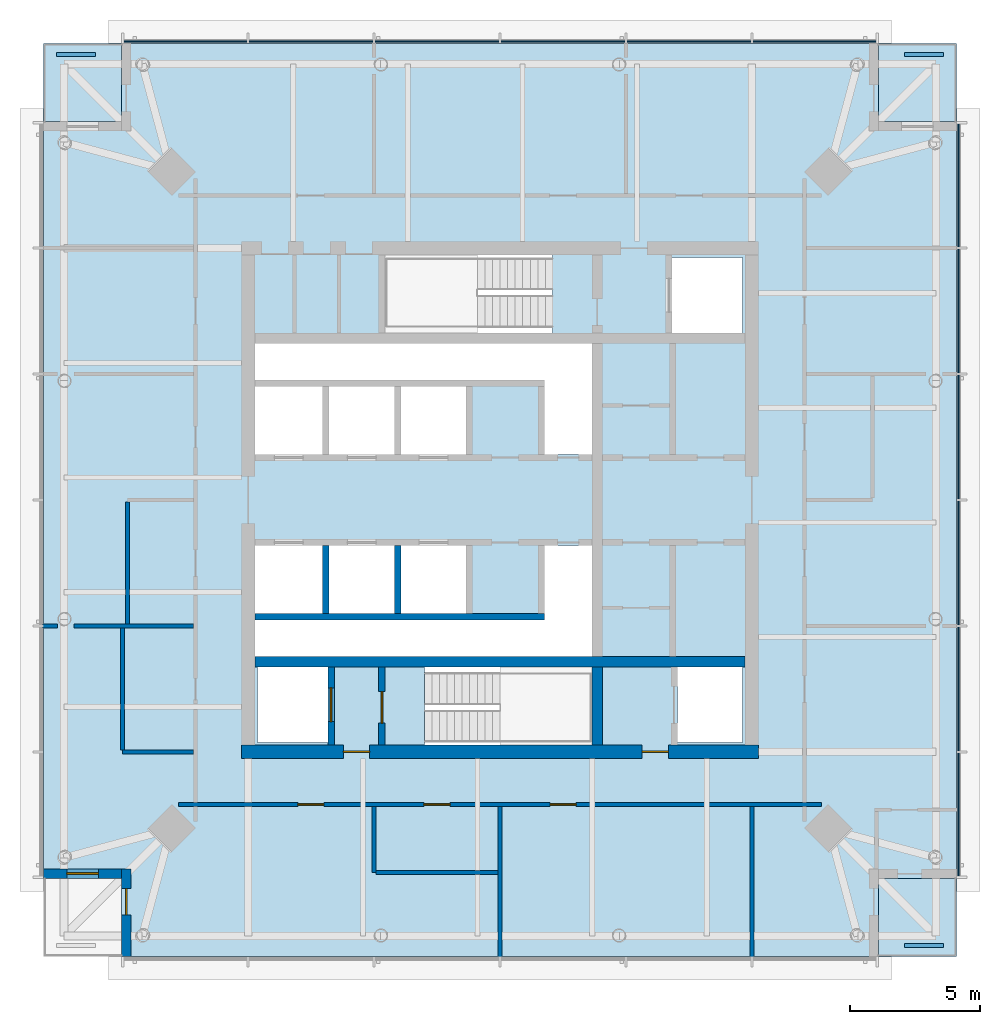
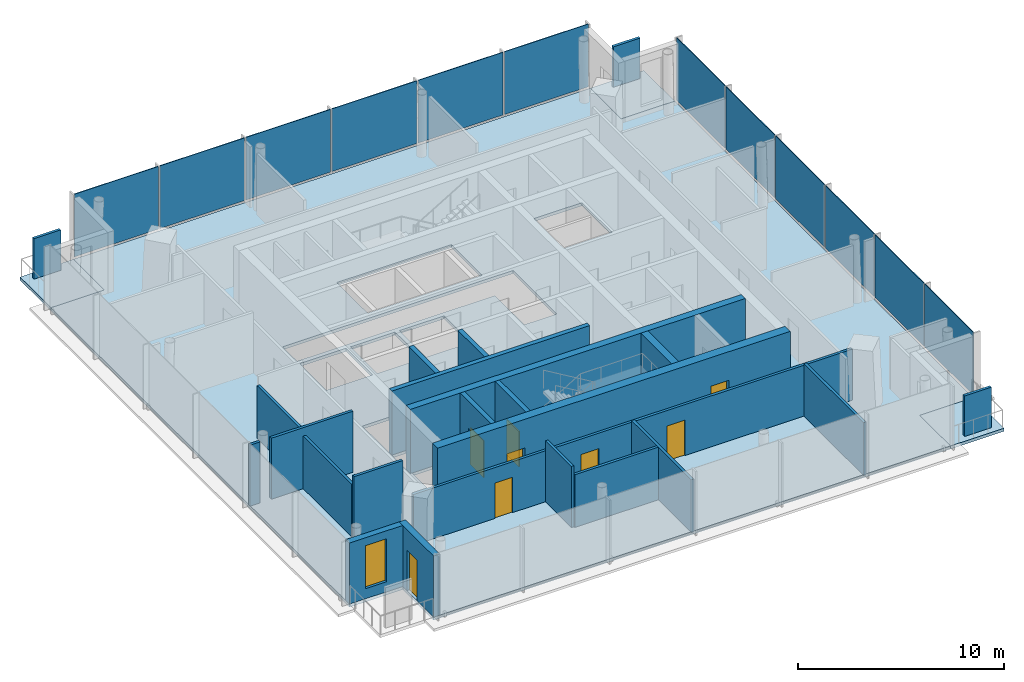
# One storey, part 3 of 11: 20 walls, 15 plates, 8 doors, 4 slabs, 1 window, 9 openings, 2 elements without a shape of their own.
"""IFC4 building model written with IfcOpenShell, lengths in metres."""

from ifc_helpers import new_model, si_unit, direction, frame, frame_2d, origin, origin_2d, place, context, subcontext, project, spatial, polyline, rectangle, outline, extrude, material, layer, layer_set, type_object, element, fill, aggregate, save


model = new_model("IFC4")

# Units and contexts
model_context = context("Model", 3, precision=1e-05, world=origin(), true_north=direction((0.0, 1.0)))
body_context = subcontext(model_context, "Body", "Model", "MODEL_VIEW")
ifc_project = project(units=[si_unit("LENGTHUNIT", "METRE"), si_unit("AREAUNIT", "SQUARE_METRE"), si_unit("VOLUMEUNIT", "CUBIC_METRE"), si_unit("PLANEANGLEUNIT", "RADIAN"), si_unit("MASSUNIT", "GRAM", prefix="KILO")], contexts=[model_context])

# Site, building, storey
site_placement = place(None, origin())
site = spatial("IfcSite", under=ifc_project, at=site_placement, CompositionType="ELEMENT")
building_placement = place(site_placement, origin())
building = spatial("IfcBuilding", under=site, at=building_placement, Name="Ostroluk Exchange", CompositionType="ELEMENT")
storey_placement = place(building_placement, frame((0.0, 0.0, 249.0)))
storey = spatial("IfcBuildingStorey", under=building, at=storey_placement, Name="L64", CompositionType="ELEMENT", Elevation=249.0)

# Slabs
ifc_material_1 = material(Name="Concrete C35/45", Category="concrete")
ifc_layer_1 = layer(ifc_material_1, 0.179931640625)
ifc_layer_set_1 = layer_set([ifc_layer_1], Name="Balcony slab 180")
slab_type_1 = type_object("IfcSlabType", Name="Balcony slab 180", PredefinedType="USERDEFINED", material=ifc_layer_set_1)
slab_1_placement = place(storey_placement, frame((0.0, 0.0, -0.179931640625)))
element("IfcSlab", 1, at=slab_1_placement, inside=storey, type_object=slab_type_1, Name="Office tower SE corner balcony L64", ObjectType="BALCONY", PredefinedType="USERDEFINED", context=body_context, shape_type="SweptSolid", body=[
    extrude(outline(polyline([(59.5, 28.5), (62.5, 28.5), (62.5, 31.5), (59.5, 31.5), (59.5, 28.5)])), origin(), (0.0, 0.0, 1.0), 0.179931640625),
])
slab_2_placement = place(storey_placement, frame((0.0, 0.0, -0.179931640625)))
element("IfcSlab", 2, at=slab_2_placement, inside=storey, type_object=slab_type_1, Name="Office tower NE corner balcony L64", ObjectType="BALCONY", PredefinedType="USERDEFINED", context=body_context, shape_type="SweptSolid", body=[
    extrude(outline(polyline([(59.5, 60.5), (62.5, 60.5), (62.5, 63.5), (59.5, 63.5), (59.5, 60.5)])), origin(), (0.0, 0.0, 1.0), 0.179931640625),
])
slab_3_placement = place(storey_placement, frame((0.0, 0.0, -0.179931640625)))
element("IfcSlab", 3, at=slab_3_placement, inside=storey, type_object=slab_type_1, Name="Office tower NW corner balcony L64", ObjectType="BALCONY", PredefinedType="USERDEFINED", context=body_context, shape_type="SweptSolid", body=[
    extrude(outline(polyline([(27.5, 60.5), (30.5, 60.5), (30.5, 63.5), (27.5, 63.5), (27.5, 60.5)])), origin(), (0.0, 0.0, 1.0), 0.179931640625),
])

# Plates
ifc_material_2 = material(Name="Steel S355 trellis with planting", Category="steel")
ifc_layer_2 = layer(ifc_material_2, 0.14990234375)
ifc_layer_set_2 = layer_set([ifc_layer_2], Name="Planted screen 150")
plate_type_1 = type_object("IfcPlateType", Name="Planted screen 150", PredefinedType="USERDEFINED", material=ifc_layer_set_2)
for number, where, z_axis, x_axis, name in (
    (4, (61.25, 28.925048828125, 0.0), (0.0, 0.0, 1.0), (1.0, 0.0, 0.0), "Office tower SE planted screen L64"),
    (5, (61.25, 63.074951171875, 0.0), (0.0, 0.0, 1.0), (1.0, 0.0, 0.0), "Office tower NE planted screen L64"),
    (6, (28.75, 63.074951171875, 0.0), (0.0, 0.0, 1.0), (1.0, 0.0, 0.0), "Office tower NW planted screen L64"),
):
    element("IfcPlate", number, at=place(storey_placement, frame(where, z_axis=z_axis, x_axis=x_axis)), inside=storey, type_object=plate_type_1, Name=name, ObjectType="PLANTED SCREEN", PredefinedType="USERDEFINED", context=body_context, shape_type="SweptSolid", body=[
        extrude(rectangle(XDim=1.5, YDim=0.14990234375, at=origin_2d()), origin(), (0.0, 0.0, 1.0), 2.39990234375),
    ])

# Slab
ifc_material_3 = material(Name="Concrete C35/45", Category="concrete")
ifc_layer_3 = layer(ifc_material_3, 0.179931640625)
ifc_layer_set_3 = layer_set([ifc_layer_3], Name="Tower floor slab 180 composite")
slab_type_2 = type_object("IfcSlabType", Name="Tower floor slab 180 composite", PredefinedType="FLOOR", material=ifc_layer_set_3)
slab_4_placement = place(storey_placement, frame((0.0, 0.0, -0.179931640625)))
element("IfcSlab", 7, at=slab_4_placement, inside=storey, type_object=slab_type_2, Name="Office tower floor slab L64", PredefinedType="FLOOR", context=body_context, shape_type="SweptSolid", body=[
    extrude(outline(polyline([(30.5, 28.5), (59.5, 28.5), (59.5, 31.5), (62.5, 31.5), (62.5, 60.5), (59.5, 60.5), (59.5, 63.5), (30.5, 63.5), (30.5, 60.5), (27.5, 60.5), (27.5, 31.5), (30.5, 31.5), (30.5, 28.5)]), holes=[polyline([(35.699951171875, 36.699951171875), (38.39990234375, 36.699951171875), (38.39990234375, 39.60009765625), (35.699951171875, 39.60009765625), (35.699951171875, 36.699951171875)]), polyline([(42.110107421875, 36.60009765625), (48.530029296875, 36.60009765625), (48.530029296875, 39.60009765625), (42.110107421875, 39.60009765625), (42.110107421875, 36.60009765625)]), polyline([(51.800048828125, 36.699951171875), (54.300048828125, 36.699951171875), (54.300048828125, 39.60009765625), (51.800048828125, 39.60009765625), (51.800048828125, 36.699951171875)]), polyline([(40.60009765625, 52.39990234375), (47.02001953125, 52.39990234375), (47.02001953125, 55.39990234375), (40.60009765625, 55.39990234375), (40.60009765625, 52.39990234375)]), polyline([(51.60009765625, 52.39990234375), (54.300048828125, 52.39990234375), (54.300048828125, 55.300048828125), (51.60009765625, 55.300048828125), (51.60009765625, 52.39990234375)]), polyline([(35.60009765625, 47.75), (38.199951171875, 47.75), (38.199951171875, 50.35009765625), (35.60009765625, 50.35009765625), (35.60009765625, 47.75)]), polyline([(38.449951171875, 47.75), (40.949951171875, 47.75), (40.949951171875, 50.35009765625), (38.449951171875, 50.35009765625), (38.449951171875, 47.75)]), polyline([(41.199951171875, 47.75), (43.699951171875, 47.75), (43.699951171875, 50.35009765625), (41.199951171875, 50.35009765625), (41.199951171875, 47.75)]), polyline([(35.60009765625, 41.64990234375), (38.199951171875, 41.64990234375), (38.199951171875, 44.25), (35.60009765625, 44.25), (35.60009765625, 41.64990234375)]), polyline([(38.449951171875, 41.64990234375), (40.949951171875, 41.64990234375), (40.949951171875, 44.25), (38.449951171875, 44.25), (38.449951171875, 41.64990234375)]), polyline([(41.199951171875, 41.64990234375), (43.699951171875, 41.64990234375), (43.699951171875, 44.25), (41.199951171875, 44.25), (41.199951171875, 41.64990234375)]), polyline([(48.530029296875, 52.0), (48.530029296875, 47.75), (46.699951171875, 47.75), (46.699951171875, 50.60009765625), (35.60009765625, 50.60009765625), (35.60009765625, 52.0), (48.530029296875, 52.0)]), polyline([(35.60009765625, 40.0), (35.60009765625, 41.39990234375), (46.699951171875, 41.39990234375), (46.699951171875, 44.25), (48.530029296875, 44.25), (48.530029296875, 40.0), (35.60009765625, 40.0)])]), origin(), (0.0, 0.0, 1.0), 0.179931640625),
])

# Curtain wall, plates
ifc_material_4 = material(Name="Laminated clear glass", Category="glass")
curtain_wall_type = type_object("IfcCurtainWallType", Name="Office tower facade", PredefinedType="USERDEFINED", material=ifc_material_4)
curtain_wall_1_placement = place(storey_placement, origin())
curtain_wall_1 = element("IfcCurtainWall", 8, at=curtain_wall_1_placement, inside=storey, type_object=curtain_wall_type, Name="Office tower east facade L64", ObjectType="UNITISED CURTAIN WALL", PredefinedType="USERDEFINED")
ifc_material_5 = material(Name="Laminated clear glass", Category="glass")
ifc_layer_4 = layer(ifc_material_5, 0.0439453125)
ifc_layer_set_4 = layer_set([ifc_layer_4], Name="Triple laminated clear glazing 44")
plate_type_2 = type_object("IfcPlateType", Name="Triple laminated clear glazing 44", PredefinedType="CURTAIN_PANEL", material=ifc_layer_set_4)
plate_1_placement = place(storey_placement, frame((62.574951171875, 33.936767578125, 0.080078125), z_axis=(0.0, 0.0, 1.0), x_axis=(0.0, 1.0, 0.0)))
plate_1 = element("IfcPlate", 9, at=plate_1_placement, type_object=plate_type_2, Name="CW-O1 panel 1.1", PredefinedType="CURTAIN_PANEL", context=body_context, shape_type="SweptSolid", body=[
    extrude(rectangle(XDim=4.71337890625, YDim=0.0439453125, at=origin_2d()), origin(), (0.0, 0.0, 1.0), 3.719970703125),
])
plate_2_placement = place(storey_placement, frame((62.574951171875, 38.75, 0.080078125), z_axis=(0.0, 0.0, 1.0), x_axis=(0.0, 1.0, 0.0)))
plate_2 = element("IfcPlate", 10, at=plate_2_placement, type_object=plate_type_2, Name="CW-O1 panel 2.1", PredefinedType="CURTAIN_PANEL", context=body_context, shape_type="SweptSolid", body=[
    extrude(rectangle(XDim=4.75341796875, YDim=0.0439453125, at=origin_2d()), origin(), (0.0, 0.0, 1.0), 3.719970703125),
])
plate_3_placement = place(storey_placement, frame((62.574951171875, 43.583251953125, 0.080078125), z_axis=(0.0, 0.0, 1.0), x_axis=(0.0, 1.0, 0.0)))
plate_3 = element("IfcPlate", 11, at=plate_3_placement, type_object=plate_type_2, Name="CW-O1 panel 3.1", PredefinedType="CURTAIN_PANEL", context=body_context, shape_type="SweptSolid", body=[
    extrude(rectangle(XDim=4.75341796875, YDim=0.0439453125, at=origin_2d()), origin(), (0.0, 0.0, 1.0), 3.719970703125),
])
plate_4_placement = place(storey_placement, frame((62.574951171875, 48.416748046875, 0.080078125), z_axis=(0.0, 0.0, 1.0), x_axis=(0.0, 1.0, 0.0)))
plate_4 = element("IfcPlate", 12, at=plate_4_placement, type_object=plate_type_2, Name="CW-O1 panel 4.1", PredefinedType="CURTAIN_PANEL", context=body_context, shape_type="SweptSolid", body=[
    extrude(rectangle(XDim=4.75341796875, YDim=0.0439453125, at=origin_2d()), origin(), (0.0, 0.0, 1.0), 3.719970703125),
])
plate_5_placement = place(storey_placement, frame((62.574951171875, 53.25, 0.080078125), z_axis=(0.0, 0.0, 1.0), x_axis=(0.0, 1.0, 0.0)))
plate_5 = element("IfcPlate", 13, at=plate_5_placement, type_object=plate_type_2, Name="CW-O1 panel 5.1", PredefinedType="CURTAIN_PANEL", context=body_context, shape_type="SweptSolid", body=[
    extrude(rectangle(XDim=4.75341796875, YDim=0.0439453125, at=origin_2d()), origin(), (0.0, 0.0, 1.0), 3.719970703125),
])
plate_6_placement = place(storey_placement, frame((62.574951171875, 58.063232421875, 0.080078125), z_axis=(0.0, 0.0, 1.0), x_axis=(0.0, 1.0, 0.0)))
plate_6 = element("IfcPlate", 14, at=plate_6_placement, type_object=plate_type_2, Name="CW-O1 panel 6.1", PredefinedType="CURTAIN_PANEL", context=body_context, shape_type="SweptSolid", body=[
    extrude(rectangle(XDim=4.71337890625, YDim=0.0439453125, at=origin_2d()), origin(), (0.0, 0.0, 1.0), 3.719970703125),
])
aggregate(curtain_wall_1, [plate_1, plate_2, plate_3, plate_4, plate_5, plate_6])

curtain_wall_2_placement = place(storey_placement, origin())
curtain_wall_2 = element("IfcCurtainWall", 15, at=curtain_wall_2_placement, inside=storey, type_object=curtain_wall_type, Name="Office tower north facade L64", ObjectType="UNITISED CURTAIN WALL", PredefinedType="USERDEFINED")
plate_7_placement = place(storey_placement, frame((57.063232421875, 63.574951171875, 0.080078125), z_axis=(0.0, 0.0, 1.0), x_axis=(-1.0, 0.0, 0.0)))
plate_7 = element("IfcPlate", 16, at=plate_7_placement, type_object=plate_type_2, Name="CW-O1 panel 1.1", PredefinedType="CURTAIN_PANEL", context=body_context, shape_type="SweptSolid", body=[
    extrude(rectangle(XDim=4.71337890625, YDim=0.0439453125, at=origin_2d()), origin(), (0.0, 0.0, 1.0), 3.719970703125),
])
plate_8_placement = place(storey_placement, frame((52.25, 63.574951171875, 0.080078125), z_axis=(0.0, 0.0, 1.0), x_axis=(-1.0, 0.0, 0.0)))
plate_8 = element("IfcPlate", 17, at=plate_8_placement, type_object=plate_type_2, Name="CW-O1 panel 2.1", PredefinedType="CURTAIN_PANEL", context=body_context, shape_type="SweptSolid", body=[
    extrude(rectangle(XDim=4.75341796875, YDim=0.0439453125, at=origin_2d()), origin(), (0.0, 0.0, 1.0), 3.719970703125),
])
plate_9_placement = place(storey_placement, frame((47.416748046875, 63.574951171875, 0.080078125), z_axis=(0.0, 0.0, 1.0), x_axis=(-1.0, 0.0, 0.0)))
plate_9 = element("IfcPlate", 18, at=plate_9_placement, type_object=plate_type_2, Name="CW-O1 panel 3.1", PredefinedType="CURTAIN_PANEL", context=body_context, shape_type="SweptSolid", body=[
    extrude(rectangle(XDim=4.75341796875, YDim=0.0439453125, at=origin_2d()), origin(), (0.0, 0.0, 1.0), 3.719970703125),
])
plate_10_placement = place(storey_placement, frame((42.583251953125, 63.574951171875, 0.080078125), z_axis=(0.0, 0.0, 1.0), x_axis=(-1.0, 0.0, 0.0)))
plate_10 = element("IfcPlate", 19, at=plate_10_placement, type_object=plate_type_2, Name="CW-O1 panel 4.1", PredefinedType="CURTAIN_PANEL", context=body_context, shape_type="SweptSolid", body=[
    extrude(rectangle(XDim=4.75341796875, YDim=0.0439453125, at=origin_2d()), origin(), (0.0, 0.0, 1.0), 3.719970703125),
])
plate_11_placement = place(storey_placement, frame((37.75, 63.574951171875, 0.080078125), z_axis=(0.0, 0.0, 1.0), x_axis=(-1.0, 0.0, 0.0)))
plate_11 = element("IfcPlate", 20, at=plate_11_placement, type_object=plate_type_2, Name="CW-O1 panel 5.1", PredefinedType="CURTAIN_PANEL", context=body_context, shape_type="SweptSolid", body=[
    extrude(rectangle(XDim=4.75341796875, YDim=0.0439453125, at=origin_2d()), origin(), (0.0, 0.0, 1.0), 3.719970703125),
])
plate_12_placement = place(storey_placement, frame((32.936767578125, 63.574951171875, 0.080078125), z_axis=(0.0, 0.0, 1.0), x_axis=(-1.0, 0.0, 0.0)))
plate_12 = element("IfcPlate", 21, at=plate_12_placement, type_object=plate_type_2, Name="CW-O1 panel 6.1", PredefinedType="CURTAIN_PANEL", context=body_context, shape_type="SweptSolid", body=[
    extrude(rectangle(XDim=4.71337890625, YDim=0.0439453125, at=origin_2d()), origin(), (0.0, 0.0, 1.0), 3.719970703125),
])
aggregate(curtain_wall_2, [plate_7, plate_8, plate_9, plate_10, plate_11, plate_12])

# Walls
ifc_material_6 = material(Name="Concrete C50/60", Category="concrete")
ifc_layer_5 = layer(ifc_material_6, 0.39990234375)
ifc_layer_set_5 = layer_set([ifc_layer_5], Name="Core cross wall 400 C50/60")
wall_type_1 = type_object("IfcWallType", Name="Core cross wall 400 C50/60", PredefinedType="SHEAR", material=ifc_layer_set_5)
wall_1_placement = place(storey_placement, frame((35.60009765625, 39.800048828125, 0.0), z_axis=(0.0, 0.0, 1.0), x_axis=(1.0, 0.0, 0.0)))
element("IfcWall", 22, at=wall_1_placement, inside=storey, type_object=wall_type_1, Name="T1 core wall XS", PredefinedType="SHEAR", context=body_context, shape_type="SweptSolid", body=[
    extrude(rectangle(XDim=18.7998046875, YDim=0.39990234375, at=frame_2d((9.39990234375, 0.0))), origin(), (0.0, 0.0, 1.0), 3.800048828125),
])
wall_2_placement = place(storey_placement, frame((48.72998046875, 36.60009765625, 0.0), z_axis=(0.0, 0.0, 1.0), x_axis=(0.0, 1.0, 0.0)))
element("IfcWall", 23, at=wall_2_placement, inside=storey, type_object=wall_type_1, Name="T1 core wall YE1", PredefinedType="SHEAR", context=body_context, shape_type="SweptSolid", body=[
    extrude(rectangle(XDim=3.0, YDim=0.39990234375, at=frame_2d((1.5, 0.0))), origin(), (0.0, 0.0, 1.0), 3.800048828125),
])

# Wall, opening, door
ifc_material_7 = material(Name="Concrete C40/50", Category="concrete")
ifc_layer_6 = layer(ifc_material_7, 0.25)
ifc_layer_set_6 = layer_set([ifc_layer_6], Name="Core shaft wall 250")
wall_type_2 = type_object("IfcWallType", Name="Core shaft wall 250", PredefinedType="SHEAR", material=ifc_layer_set_6)
wall_3_placement = place(storey_placement, frame((38.52490234375, 36.60009765625, 0.0), z_axis=(0.0, 0.0, 1.0), x_axis=(0.0, 1.0, 0.0)))
wall_3 = element("IfcWall", 24, at=wall_3_placement, inside=storey, type_object=wall_type_2, Name="Firefighting lift shaft wall", PredefinedType="SHEAR", context=body_context, shape_type="SweptSolid", body=[
    extrude(rectangle(XDim=3.0, YDim=0.25, at=frame_2d((1.5, 0.0))), origin(), (0.0, 0.0, 1.0), 3.800048828125),
])
opening_1_placement = place(wall_3_placement, frame((0.89990234375, 0.0, 0.0)))
opening_1 = element("IfcOpeningElement", 25, at=opening_1_placement, cuts=wall_3, Name="Opening LD2", PredefinedType="OPENING", context=body_context, shape_type="SweptSolid", body=[
    extrude(rectangle(XDim=1.300048828125, YDim=2.199951171875, at=frame_2d((0.64990234375, 1.10009765625))), frame((0.0, 0.135009765625, 0.0), z_axis=(0.0, -1.0, 0.0), x_axis=(1.0, 0.0, 0.0)), (0.0, 0.0, 1.0), 0.27001953125),
])
ifc_material_8 = material(Name="Stainless steel", Category="steel")
door_type_1 = type_object("IfcDoorType", Name="Lift landing door E 60 1300 x 2200", OperationType="DOUBLE_DOOR_SLIDING", PredefinedType="DOOR", material=ifc_material_8)
door_1_placement = place(opening_1_placement, origin())
door_1 = element("IfcDoor", 26, at=door_1_placement, inside=storey, type_object=door_type_1, Name="Lift FL1 landing door", OperationType="DOUBLE_DOOR_SLIDING", OverallHeight=2.199951171875, OverallWidth=1.300048828125, PredefinedType="DOOR", context=body_context, shape_type="SweptSolid", body=[
    extrude(rectangle(XDim=1.300048828125, YDim=2.199951171875, at=frame_2d((0.64990234375, 1.10009765625))), frame((0.0, 0.02490234375, 0.0), z_axis=(0.0, -1.0, 0.0), x_axis=(1.0, 0.0, 0.0)), (0.0, 0.0, 1.0), 0.050048828125),
])
fill(opening_1, door_1)

wall_4_placement = place(storey_placement, frame((40.47509765625, 36.60009765625, 0.0), z_axis=(0.0, 0.0, 1.0), x_axis=(0.0, 1.0, 0.0)))
wall_4 = element("IfcWall", 27, at=wall_4_placement, inside=storey, type_object=wall_type_2, Name="Stair shaft wall", PredefinedType="SHEAR", context=body_context, shape_type="SweptSolid", body=[
    extrude(rectangle(XDim=3.0, YDim=0.25, at=frame_2d((1.5, 0.0))), origin(), (0.0, 0.0, 1.0), 3.800048828125),
])
opening_2_placement = place(wall_4_placement, frame((0.85009765625, 0.0, 0.0)))
opening_2 = element("IfcOpeningElement", 28, at=opening_2_placement, cuts=wall_4, Name="Opening FD60S", PredefinedType="OPENING", context=body_context, shape_type="SweptSolid", body=[
    extrude(rectangle(XDim=1.199951171875, YDim=2.10009765625, at=frame_2d((0.60009765625, 1.050048828125))), frame((0.0, 0.135009765625, 0.0), z_axis=(0.0, -1.0, 0.0), x_axis=(1.0, 0.0, 0.0)), (0.0, 0.0, 1.0), 0.27001953125),
])
ifc_material_9 = material(Name="Steel", Category="steel")
door_type_2 = type_object("IfcDoorType", Name="Stair door EI 60 1200 x 2100", OperationType="SINGLE_SWING_LEFT", PredefinedType="DOOR", material=ifc_material_9)
door_2_placement = place(opening_2_placement, origin())
door_2 = element("IfcDoor", 29, at=door_2_placement, inside=storey, type_object=door_type_2, Name="Stair T1-S1 door", OperationType="SINGLE_SWING_LEFT", OverallHeight=2.10009765625, OverallWidth=1.199951171875, PredefinedType="DOOR", context=body_context, shape_type="SweptSolid", body=[
    extrude(rectangle(XDim=1.199951171875, YDim=2.10009765625, at=frame_2d((0.60009765625, 1.050048828125))), frame((0.0, 0.02490234375, 0.0), z_axis=(0.0, -1.0, 0.0), x_axis=(1.0, 0.0, 0.0)), (0.0, 0.0, 1.0), 0.050048828125),
])
fill(opening_2, door_2)

# Walls
for number, where, z_axis, x_axis, name in (
    (30, (38.324951171875, 44.25, 0.0), (0.0, 0.0, 1.0), (0.0, -1.0, 0.0), "Lift shaft wall"),
    (31, (41.074951171875, 44.25, 0.0), (0.0, 0.0, 1.0), (0.0, -1.0, 0.0), "Lift shaft wall"),
):
    element("IfcWall", number, at=place(storey_placement, frame(where, z_axis=z_axis, x_axis=x_axis)), inside=storey, type_object=wall_type_2, Name=name, PredefinedType="SHEAR", context=body_context, shape_type="SweptSolid", body=[
        extrude(rectangle(XDim=2.60009765625, YDim=0.25, at=frame_2d((1.300048828125, 0.0))), origin(), (0.0, 0.0, 1.0), 3.800048828125),
    ])
wall_5_placement = place(storey_placement, frame((35.60009765625, 41.52490234375, 0.0), z_axis=(0.0, 0.0, 1.0), x_axis=(1.0, 0.0, 0.0)))
element("IfcWall", 32, at=wall_5_placement, inside=storey, type_object=wall_type_2, Name="Lift shaft wall", PredefinedType="SHEAR", context=body_context, shape_type="SweptSolid", body=[
    extrude(rectangle(XDim=11.099853515625, YDim=0.25, at=frame_2d((5.5498046875, 0.0))), origin(), (0.0, 0.0, 1.0), 3.800048828125),
])

# Wall, openings, doors
ifc_material_10 = material(Name="Concrete C50/60", Category="concrete")
ifc_layer_7 = layer(ifc_material_10, 0.5)
ifc_layer_set_7 = layer_set([ifc_layer_7], Name="Core wall 500 C50/60")
wall_type_3 = type_object("IfcWallType", Name="Core wall 500 C50/60", PredefinedType="SHEAR", material=ifc_layer_set_7)
wall_6_placement = place(storey_placement, frame((35.10009765625, 36.35009765625, 0.0), z_axis=(0.0, 0.0, 1.0), x_axis=(1.0, 0.0, 0.0)))
wall_6 = element("IfcWall", 33, at=wall_6_placement, inside=storey, type_object=wall_type_3, Name="T1 core wall S", PredefinedType="SHEAR", context=body_context, shape_type="SweptSolid", body=[
    extrude(rectangle(XDim=19.7998046875, YDim=0.5, at=frame_2d((9.89990234375, 0.0))), origin(), (0.0, 0.0, 1.0), 3.800048828125),
])
opening_3_placement = place(wall_6_placement, frame((3.89990234375, 0.0, 0.0)))
opening_3 = element("IfcOpeningElement", 34, at=opening_3_placement, cuts=wall_6, Name="Opening FD60", PredefinedType="OPENING", context=body_context, shape_type="SweptSolid", body=[
    extrude(rectangle(XDim=1.0, YDim=2.10009765625, at=frame_2d((0.5, 1.050048828125))), frame((0.0, 0.260009765625, 0.0), z_axis=(0.0, -1.0, 0.0), x_axis=(1.0, 0.0, 0.0)), (0.0, 0.0, 1.0), 0.52001953125),
])
opening_4_placement = place(wall_6_placement, frame((15.35009765625, 0.0, 0.0)))
opening_4 = element("IfcOpeningElement", 35, at=opening_4_placement, cuts=wall_6, Name="Opening FD60", PredefinedType="OPENING", context=body_context, shape_type="SweptSolid", body=[
    extrude(rectangle(XDim=1.0, YDim=2.10009765625, at=frame_2d((0.5, 1.050048828125))), frame((0.0, 0.260009765625, 0.0), z_axis=(0.0, -1.0, 0.0), x_axis=(1.0, 0.0, 0.0)), (0.0, 0.0, 1.0), 0.52001953125),
])
ifc_material_11 = material(Name="Steel", Category="steel")
door_type_3 = type_object("IfcDoorType", Name="Fire door EI 60 1000 x 2100", OperationType="SINGLE_SWING_LEFT", PredefinedType="DOOR", material=ifc_material_11)
door_3_placement = place(opening_3_placement, origin())
door_3 = element("IfcDoor", 36, at=door_3_placement, inside=storey, type_object=door_type_3, Name="Firefighting lobby door", OperationType="SINGLE_SWING_LEFT", OverallHeight=2.10009765625, OverallWidth=1.0, PredefinedType="DOOR", context=body_context, shape_type="SweptSolid", body=[
    extrude(rectangle(XDim=1.0, YDim=2.10009765625, at=frame_2d((0.5, 1.050048828125))), frame((0.0, 0.02490234375, 0.0), z_axis=(0.0, -1.0, 0.0), x_axis=(1.0, 0.0, 0.0)), (0.0, 0.0, 1.0), 0.050048828125),
])
fill(opening_3, door_3)
door_4_placement = place(opening_4_placement, origin())
door_4 = element("IfcDoor", 37, at=door_4_placement, inside=storey, type_object=door_type_3, Name="Service lobby door", OperationType="SINGLE_SWING_RIGHT", OverallHeight=2.10009765625, OverallWidth=1.0, PredefinedType="DOOR", context=body_context, shape_type="SweptSolid", body=[
    extrude(rectangle(XDim=1.0, YDim=2.10009765625, at=frame_2d((0.5, 1.050048828125))), frame((0.0, 0.02490234375, 0.0), z_axis=(0.0, -1.0, 0.0), x_axis=(1.0, 0.0, 0.0)), (0.0, 0.0, 1.0), 0.050048828125),
])
fill(opening_4, door_4)

# Wall, opening, door
ifc_material_12 = material(Name="Limestone", Category="masonry")
ifc_layer_8 = layer(ifc_material_12, 0.35009765625)
ifc_layer_set_8 = layer_set([ifc_layer_8], Name="Limestone facade wall 350")
wall_type_4 = type_object("IfcWallType", Name="Limestone facade wall 350", PredefinedType="SOLIDWALL", material=ifc_layer_set_8)
wall_7_placement = place(storey_placement, frame((30.675048828125, 28.5, 0.0), z_axis=(0.0, 0.0, 1.0), x_axis=(0.0, 1.0, 0.0)))
wall_7 = element("IfcWall", 38, at=wall_7_placement, inside=storey, type_object=wall_type_4, Name="Office tower SW corner wall L64 a", PredefinedType="SOLIDWALL", context=body_context, shape_type="SweptSolid", body=[
    extrude(rectangle(XDim=3.35009765625, YDim=0.35009765625, at=frame_2d((1.675048828125, 0.0))), origin(), (0.0, 0.0, 1.0), 3.6201171875),
])
opening_5_placement = place(wall_7_placement, frame((1.60009765625, 0.0, 0.0)))
opening_5 = element("IfcOpeningElement", 39, at=opening_5_placement, cuts=wall_7, Name="Opening D-B1", PredefinedType="OPENING", context=body_context, shape_type="SweptSolid", body=[
    extrude(rectangle(XDim=1.0, YDim=2.39990234375, at=frame_2d((0.5, 1.199951171875))), frame((0.0, 0.18505859375, 0.0), z_axis=(0.0, -1.0, 0.0), x_axis=(1.0, 0.0, 0.0)), (0.0, 0.0, 1.0), 0.3701171875),
])
ifc_material_13 = material(Name="Bronze framed glazed door", Category="aluminium")
door_type_4 = type_object("IfcDoorType", Name="Balcony door 1000 x 2400", OperationType="SINGLE_SWING_LEFT", PredefinedType="DOOR", material=ifc_material_13)
door_5_placement = place(opening_5_placement, origin())
door_5 = element("IfcDoor", 40, at=door_5_placement, inside=storey, type_object=door_type_4, Name="Office tower SW balcony door L64", OperationType="SINGLE_SWING_RIGHT", OverallHeight=2.39990234375, OverallWidth=1.0, PredefinedType="DOOR", context=body_context, shape_type="SweptSolid", body=[
    extrude(rectangle(XDim=1.0, YDim=2.39990234375, at=frame_2d((0.5, 1.199951171875))), frame((0.0, 0.02490234375, 0.0), z_axis=(0.0, -1.0, 0.0), x_axis=(1.0, 0.0, 0.0)), (0.0, 0.0, 1.0), 0.050048828125),
])
fill(opening_5, door_5)

# Wall, opening, window
wall_8_placement = place(storey_placement, frame((30.5, 31.675048828125, 0.0), z_axis=(0.0, 0.0, 1.0), x_axis=(-1.0, 0.0, 0.0)))
wall_8 = element("IfcWall", 41, at=wall_8_placement, inside=storey, type_object=wall_type_4, Name="Office tower SW corner wall L64 b", PredefinedType="SOLIDWALL", context=body_context, shape_type="SweptSolid", body=[
    extrude(rectangle(XDim=3.0, YDim=0.35009765625, at=frame_2d((1.5, 0.0))), origin(), (0.0, 0.0, 1.0), 3.6201171875),
])
opening_6_placement = place(wall_8_placement, frame((0.89990234375, 0.0, 0.60009765625)))
opening_6 = element("IfcOpeningElement", 42, at=opening_6_placement, cuts=wall_8, Name="Opening WN-L1", PredefinedType="OPENING", context=body_context, shape_type="SweptSolid", body=[
    extrude(rectangle(XDim=1.199951171875, YDim=2.550048828125, at=frame_2d((0.60009765625, 1.27490234375))), frame((0.0, 0.18505859375, 0.0), z_axis=(0.0, -1.0, 0.0), x_axis=(1.0, 0.0, 0.0)), (0.0, 0.0, 1.0), 0.3701171875),
])
ifc_material_14 = material(Name="Laminated clear glass", Category="glass")
window_type = type_object("IfcWindowType", Name="Lancet window 1200 x 2550", PartitioningType="SINGLE_PANEL", PredefinedType="WINDOW", material=ifc_material_14)
window_placement = place(opening_6_placement, origin())
window = element("IfcWindow", 43, at=window_placement, inside=storey, type_object=window_type, Name="Office tower SW lancet window L64", OverallHeight=2.550048828125, OverallWidth=1.199951171875, PartitioningType="SINGLE_PANEL", PredefinedType="WINDOW", context=body_context, shape_type="SweptSolid", body=[
    extrude(rectangle(XDim=1.199951171875, YDim=2.550048828125, at=frame_2d((0.60009765625, 1.27490234375))), frame((0.0, 0.030029296875, 0.0), z_axis=(0.0, -1.0, 0.0), x_axis=(1.0, 0.0, 0.0)), (0.0, 0.0, 1.0), 0.06005859375),
])
fill(opening_6, window)

# Walls
ifc_material_15 = material(Name="Gypsum plasterboard partition", Category="gypsum")
ifc_layer_9 = layer(ifc_material_15, 0.14990234375)
ifc_layer_set_9 = layer_set([ifc_layer_9], Name="Plasterboard partition 150")
wall_type_5 = type_object("IfcWallType", Name="Plasterboard partition 150", PredefinedType="PARTITIONING", material=ifc_layer_set_9)
wall_9_placement = place(storey_placement, frame((33.25, 41.166748046875, 0.0), z_axis=(0.0, 0.0, 1.0), x_axis=(-1.0, 0.0, 0.0)))
element("IfcWall", 44, at=wall_9_placement, inside=storey, type_object=wall_type_5, Name="Partition", PredefinedType="PARTITIONING", context=body_context, shape_type="SweptSolid", body=[
    extrude(rectangle(XDim=4.5888671875, YDim=0.14990234375, at=frame_2d((2.29443359375, 0.0))), origin(), (0.0, 0.0, 1.0), 3.6201171875),
])
wall_10_placement = place(storey_placement, frame((28.03173828125, 41.166748046875, 0.0), z_axis=(0.0, 0.0, 1.0), x_axis=(-1.0, 0.0, 0.0)))
element("IfcWall", 45, at=wall_10_placement, inside=storey, type_object=wall_type_5, Name="Partition", PredefinedType="PARTITIONING", context=body_context, shape_type="SweptSolid", body=[
    extrude(rectangle(XDim=0.57177734375, YDim=0.14990234375, at=frame_2d((0.285888671875, 0.0))), origin(), (0.0, 0.0, 1.0), 3.6201171875),
])
wall_11_placement = place(storey_placement, frame((33.25, 36.333251953125, 0.0), z_axis=(0.0, 0.0, 1.0), x_axis=(-1.0, 0.0, 0.0)))
element("IfcWall", 46, at=wall_11_placement, inside=storey, type_object=wall_type_5, Name="Partition", PredefinedType="PARTITIONING", context=body_context, shape_type="SweptSolid", body=[
    extrude(rectangle(XDim=2.72509765625, YDim=0.14990234375, at=frame_2d((1.362548828125, 0.0))), origin(), (0.0, 0.0, 1.0), 3.6201171875),
])
wall_12_placement = place(storey_placement, frame((40.24169921875, 31.72509765625, 0.0), z_axis=(0.0, 0.0, 1.0), x_axis=(1.0, 0.0, 0.0)))
element("IfcWall", 47, at=wall_12_placement, inside=storey, type_object=wall_type_5, Name="Partition", PredefinedType="PARTITIONING", context=body_context, shape_type="SweptSolid", body=[
    extrude(rectangle(XDim=4.683349609375, YDim=0.14990234375, at=frame_2d((2.341796875, 0.0))), origin(), (0.0, 0.0, 1.0), 3.1201171875),
])

# Wall, openings, doors
wall_13_placement = place(storey_placement, frame((32.68359375, 34.324951171875, 0.0), z_axis=(0.0, 0.0, 1.0), x_axis=(1.0, 0.0, 0.0)))
wall_13 = element("IfcWall", 48, at=wall_13_placement, inside=storey, type_object=wall_type_5, Name="Partition", PredefinedType="PARTITIONING", context=body_context, shape_type="SweptSolid", body=[
    extrude(rectangle(XDim=24.6328125, YDim=0.14990234375, at=frame_2d((12.31640625, 0.0))), origin(), (0.0, 0.0, 1.0), 3.02001953125),
])
opening_7_placement = place(wall_13_placement, frame((4.56640625, 0.0, 0.0)))
opening_7 = element("IfcOpeningElement", 49, at=opening_7_placement, cuts=wall_13, Name="Opening D-03", PredefinedType="OPENING", context=body_context, shape_type="SweptSolid", body=[
    extrude(rectangle(XDim=1.0, YDim=2.10009765625, at=frame_2d((0.5, 1.050048828125))), frame((0.0, 0.0849609375, 0.0), z_axis=(0.0, -1.0, 0.0), x_axis=(1.0, 0.0, 0.0)), (0.0, 0.0, 1.0), 0.169921875),
])
opening_8_placement = place(wall_13_placement, frame((9.39990234375, 0.0, 0.0)))
opening_8 = element("IfcOpeningElement", 50, at=opening_8_placement, cuts=wall_13, Name="Opening D-03", PredefinedType="OPENING", context=body_context, shape_type="SweptSolid", body=[
    extrude(rectangle(XDim=1.0, YDim=2.10009765625, at=frame_2d((0.5, 1.050048828125))), frame((0.0, 0.0849609375, 0.0), z_axis=(0.0, -1.0, 0.0), x_axis=(1.0, 0.0, 0.0)), (0.0, 0.0, 1.0), 0.169921875),
])
opening_9_placement = place(wall_13_placement, frame((14.233154296875, 0.0, 0.0)))
opening_9 = element("IfcOpeningElement", 51, at=opening_9_placement, cuts=wall_13, Name="Opening D-03", PredefinedType="OPENING", context=body_context, shape_type="SweptSolid", body=[
    extrude(rectangle(XDim=1.0, YDim=2.10009765625, at=frame_2d((0.5, 1.050048828125))), frame((0.0, 0.0849609375, 0.0), z_axis=(0.0, -1.0, 0.0), x_axis=(1.0, 0.0, 0.0)), (0.0, 0.0, 1.0), 0.169921875),
])
ifc_material_16 = material(Name="Timber", Category="wood")
door_type_5 = type_object("IfcDoorType", Name="Internal door 1000 x 2100", OperationType="SINGLE_SWING_LEFT", PredefinedType="DOOR", material=ifc_material_16)
door_6_placement = place(opening_7_placement, origin())
door_6 = element("IfcDoor", 52, at=door_6_placement, inside=storey, type_object=door_type_5, Name="Corner office door", OperationType="SINGLE_SWING_LEFT", OverallHeight=2.10009765625, OverallWidth=1.0, PredefinedType="DOOR", context=body_context, shape_type="SweptSolid", body=[
    extrude(rectangle(XDim=1.0, YDim=2.10009765625, at=frame_2d((0.5, 1.050048828125))), frame((0.0, 0.02490234375, 0.0), z_axis=(0.0, -1.0, 0.0), x_axis=(1.0, 0.0, 0.0)), (0.0, 0.0, 1.0), 0.050048828125),
])
fill(opening_7, door_6)
door_7_placement = place(opening_8_placement, origin())
door_7 = element("IfcDoor", 53, at=door_7_placement, inside=storey, type_object=door_type_5, Name="Pantry door", OperationType="SINGLE_SWING_LEFT", OverallHeight=2.10009765625, OverallWidth=1.0, PredefinedType="DOOR", context=body_context, shape_type="SweptSolid", body=[
    extrude(rectangle(XDim=1.0, YDim=2.10009765625, at=frame_2d((0.5, 1.050048828125))), frame((0.0, 0.02490234375, 0.0), z_axis=(0.0, -1.0, 0.0), x_axis=(1.0, 0.0, 0.0)), (0.0, 0.0, 1.0), 0.050048828125),
])
fill(opening_8, door_7)
door_8_placement = place(opening_9_placement, origin())
door_8 = element("IfcDoor", 54, at=door_8_placement, inside=storey, type_object=door_type_5, Name="Office door", OperationType="SINGLE_SWING_RIGHT", OverallHeight=2.10009765625, OverallWidth=1.0, PredefinedType="DOOR", context=body_context, shape_type="SweptSolid", body=[
    extrude(rectangle(XDim=1.0, YDim=2.10009765625, at=frame_2d((0.5, 1.050048828125))), frame((0.0, 0.02490234375, 0.0), z_axis=(0.0, -1.0, 0.0), x_axis=(1.0, 0.0, 0.0)), (0.0, 0.0, 1.0), 0.050048828125),
])
fill(opening_9, door_8)

# Walls
wall_14_placement = place(storey_placement, frame((40.166748046875, 34.25, 0.0), z_axis=(0.0, 0.0, 1.0), x_axis=(0.0, -1.0, 0.0)))
element("IfcWall", 55, at=wall_14_placement, inside=storey, type_object=wall_type_5, Name="Partition", PredefinedType="PARTITIONING", context=body_context, shape_type="SweptSolid", body=[
    extrude(rectangle(XDim=2.52490234375, YDim=0.14990234375, at=frame_2d((1.262451171875, 0.0))), origin(), (0.0, 0.0, 1.0), 3.6201171875),
])
for number, where, z_axis, x_axis, name in (
    (56, (45.0, 34.25, 0.0), (0.0, 0.0, 1.0), (0.0, -1.0, 0.0), "Partition"),
    (57, (54.666748046875, 34.25, 0.0), (0.0, 0.0, 1.0), (0.0, -1.0, 0.0), "Partition"),
):
    element("IfcWall", number, at=place(storey_placement, frame(where, z_axis=z_axis, x_axis=x_axis)), inside=storey, type_object=wall_type_5, Name=name, PredefinedType="PARTITIONING", context=body_context, shape_type="SweptSolid", body=[
        extrude(rectangle(XDim=5.7900390625, YDim=0.14990234375, at=frame_2d((2.89501953125, 0.0))), origin(), (0.0, 0.0, 1.0), 3.1201171875),
    ])
ifc_material_17 = material(Name="Gypsum plasterboard partition, moisture resistant", Category="gypsum")
ifc_layer_10 = layer(ifc_material_17, 0.14990234375)
ifc_layer_set_10 = layer_set([ifc_layer_10], Name="Plasterboard toilet partition 150")
wall_type_6 = type_object("IfcWallType", Name="Plasterboard toilet partition 150", PredefinedType="PARTITIONING", material=ifc_layer_set_10)
wall_15_placement = place(storey_placement, frame((30.72509765625, 45.925048828125, 0.0), z_axis=(0.0, 0.0, 1.0), x_axis=(0.0, -1.0, 0.0)))
element("IfcWall", 58, at=wall_15_placement, inside=storey, type_object=wall_type_6, Name="Toilet partition", PredefinedType="PARTITIONING", context=body_context, shape_type="SweptSolid", body=[
    extrude(rectangle(XDim=4.683349609375, YDim=0.14990234375, at=frame_2d((2.341796875, 0.0))), origin(), (0.0, 0.0, 1.0), 3.1201171875),
])
wall_16_placement = place(storey_placement, frame((30.52490234375, 41.091552734375, 0.0), z_axis=(0.0, 0.0, 1.0), x_axis=(0.0, -1.0, 0.0)))
element("IfcWall", 59, at=wall_16_placement, inside=storey, type_object=wall_type_6, Name="Toilet partition", PredefinedType="PARTITIONING", context=body_context, shape_type="SweptSolid", body=[
    extrude(rectangle(XDim=4.68310546875, YDim=0.14990234375, at=frame_2d((2.341552734375, 0.0))), origin(), (0.0, 0.0, 1.0), 3.1201171875),
])

save(model, "model.ifc")
